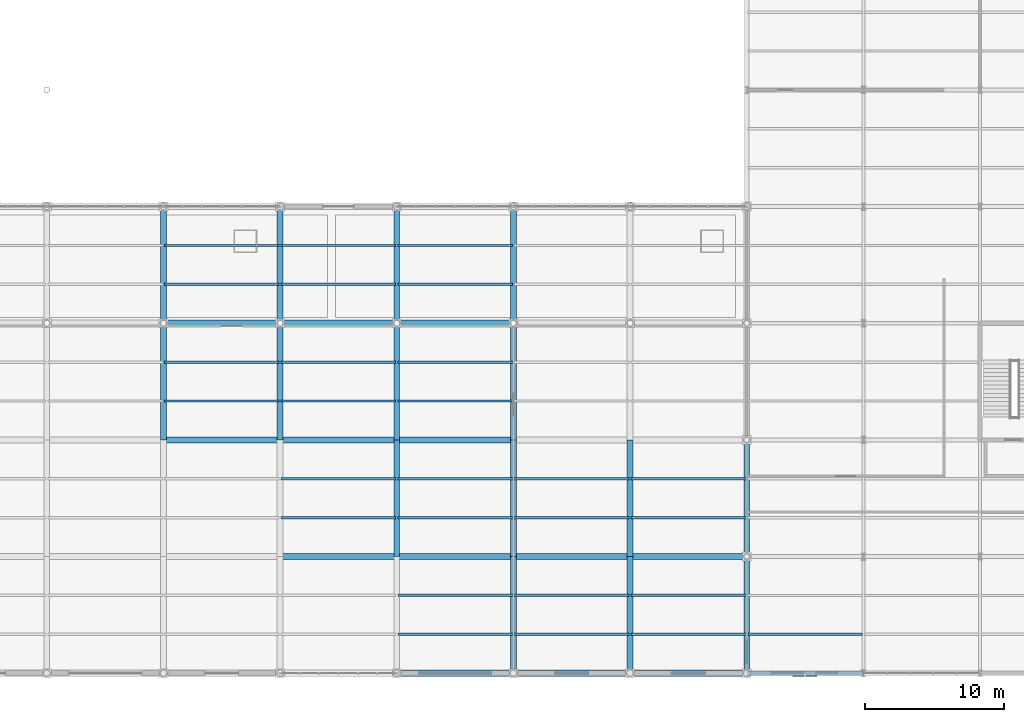
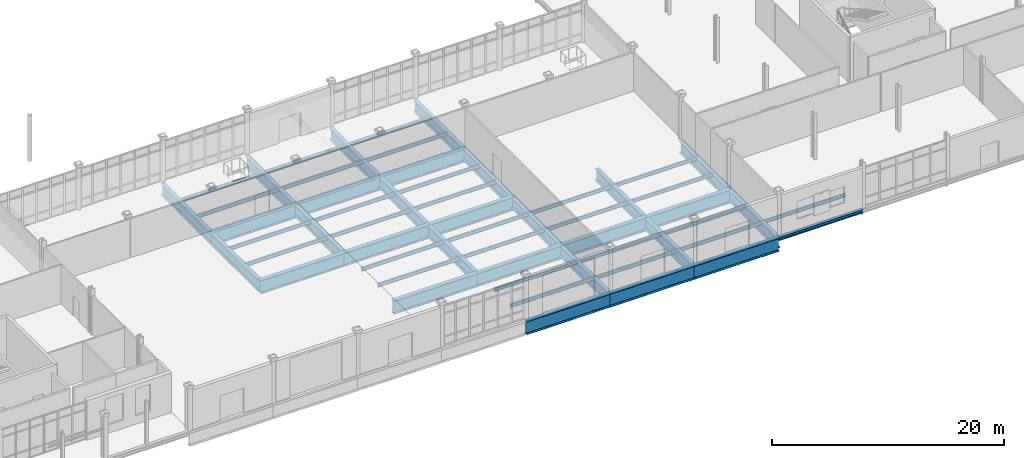
# One storey, part 49 of 145: 56 beams.
"""IFC4 building model written with IfcOpenShell, lengths in metres."""

from ifc_helpers import new_model, si_unit, direction, frame, origin, origin_2d, place, context, subcontext, project, spatial, i_section, extrude, material, material_profile, profile_set, type_object, element, save


model = new_model("IFC4")

# Units and contexts
model_context = context("Model", 3, precision=1e-05, world=origin(), true_north=direction((0.0, 1.0)))
body_context = subcontext(model_context, "Body", "Model", "MODEL_VIEW")
ifc_project = project(units=[si_unit("LENGTHUNIT", "METRE"), si_unit("AREAUNIT", "SQUARE_METRE"), si_unit("VOLUMEUNIT", "CUBIC_METRE"), si_unit("PLANEANGLEUNIT", "RADIAN"), si_unit("MASSUNIT", "GRAM", prefix="KILO")], contexts=[model_context])

# Site, building, storey
site_placement = place(None, origin())
site = spatial("IfcSite", under=ifc_project, at=site_placement, CompositionType="ELEMENT")
building_placement = place(site_placement, origin())
building = spatial("IfcBuilding", under=site, at=building_placement, Name="Qalvenar Corner Mobility Hub", CompositionType="ELEMENT")
storey_placement = place(building_placement, origin())
storey = spatial("IfcBuildingStorey", under=building, at=storey_placement, Name="L00", CompositionType="ELEMENT", Elevation=0.0)

# Beams
ifc_material = material(Name="Steel S355", Category="steel")
ifc_material_profile_1 = material_profile(ifc_material, i_section(OverallWidth=0.169921875, OverallDepth=0.360107421875, WebThickness=0.008056640625, FlangeThickness=0.0126953125, FilletRadius=0.01806640625, at=origin_2d()), Name="IPE360")
ifc_profile_set_1 = profile_set([ifc_material_profile_1], Name="Steel S355")
beam_type_1 = type_object("IfcBeamType", Name="BM-JST360", PredefinedType="JOIST", material=ifc_profile_set_1)
beam_1_placement = place(storey_placement, frame((109.278076171875, 2.800048828125, -0.429931640625), z_axis=(1.0, 0.0, 0.0), x_axis=(0.0, 1.0, 0.0)))
element("IfcBeam", 1, at=beam_1_placement, inside=storey, type_object=beam_type_1, Name="Composite Floor Joist J-0341", PredefinedType="JOIST", context=body_context, shape_type="SweptSolid", body=[
    extrude(i_section(OverallWidth=0.169921875, OverallDepth=0.360107421875, WebThickness=0.008056640625, FlangeThickness=0.0126953125, FilletRadius=0.01806640625, at=origin_2d()), origin(), (0.0, 0.0, 1.0), 8.243896484375),
])
ifc_material_profile_2 = material_profile(ifc_material, i_section(OverallWidth=0.175048828125, OverallDepth=0.3798828125, WebThickness=0.00830078125, FlangeThickness=0.012939453125, FilletRadius=0.01806640625, at=origin_2d()), Name="IPE380-EQ")
ifc_profile_set_2 = profile_set([ifc_material_profile_2], Name="Steel S355")
beam_type_2 = type_object("IfcBeamType", Name="BM-JST380", PredefinedType="JOIST", material=ifc_profile_set_2)
for number, where, z_axis, x_axis, name in (
    (2, (67.278076171875, 19.60009765625, -0.43994140625), (1.0, 0.0, 0.0), (0.0, 1.0, 0.0), "Composite Floor Joist J-0212"),
    (3, (67.278076171875, 22.39990234375, -0.43994140625), (1.0, 0.0, 0.0), (0.0, 1.0, 0.0), "Composite Floor Joist J-0213"),
    (4, (67.278076171875, 28.0, -0.43994140625), (1.0, 0.0, 0.0), (0.0, 1.0, 0.0), "Composite Floor Joist J-0214"),
    (5, (67.278076171875, 30.800048828125, -0.43994140625), (1.0, 0.0, 0.0), (0.0, 1.0, 0.0), "Composite Floor Joist J-0215"),
):
    element("IfcBeam", number, at=place(storey_placement, frame(where, z_axis=z_axis, x_axis=x_axis)), inside=storey, type_object=beam_type_2, Name=name, PredefinedType="JOIST", context=body_context, shape_type="SweptSolid", body=[
        extrude(i_section(OverallWidth=0.175048828125, OverallDepth=0.3798828125, WebThickness=0.00830078125, FlangeThickness=0.012939453125, FilletRadius=0.01806640625, at=origin_2d()), origin(), (0.0, 0.0, 1.0), 8.243896484375),
    ])
for number, where, z_axis, x_axis, name in (
    (6, (75.677978515625, 11.199951171875, -0.43994140625), (1.0, 0.0, 0.0), (0.0, 1.0, 0.0), "Composite Floor Joist J-0218"),
    (7, (75.677978515625, 14.0, -0.43994140625), (1.0, 0.0, 0.0), (0.0, 1.0, 0.0), "Composite Floor Joist J-0219"),
    (8, (75.677978515625, 19.60009765625, -0.43994140625), (1.0, 0.0, 0.0), (0.0, 1.0, 0.0), "Composite Floor Joist J-0220"),
    (9, (75.677978515625, 22.39990234375, -0.43994140625), (1.0, 0.0, 0.0), (0.0, 1.0, 0.0), "Composite Floor Joist J-0221"),
    (10, (75.677978515625, 28.0, -0.43994140625), (1.0, 0.0, 0.0), (0.0, 1.0, 0.0), "Composite Floor Joist J-0222"),
    (11, (75.677978515625, 30.800048828125, -0.43994140625), (1.0, 0.0, 0.0), (0.0, 1.0, 0.0), "Composite Floor Joist J-0223"),
    (12, (84.077880859375, 2.800048828125, -0.43994140625), (1.0, 0.0, 0.0), (0.0, 1.0, 0.0), "Composite Floor Joist J-0224"),
    (13, (84.077880859375, 5.60009765625, -0.43994140625), (1.0, 0.0, 0.0), (0.0, 1.0, 0.0), "Composite Floor Joist J-0225"),
    (14, (84.077880859375, 11.199951171875, -0.43994140625), (1.0, 0.0, 0.0), (0.0, 1.0, 0.0), "Composite Floor Joist J-0226"),
    (15, (84.077880859375, 14.0, -0.43994140625), (1.0, 0.0, 0.0), (0.0, 1.0, 0.0), "Composite Floor Joist J-0227"),
    (16, (84.077880859375, 19.60009765625, -0.43994140625), (1.0, 0.0, 0.0), (0.0, 1.0, 0.0), "Composite Floor Joist J-0228"),
    (17, (84.077880859375, 22.39990234375, -0.43994140625), (1.0, 0.0, 0.0), (0.0, 1.0, 0.0), "Composite Floor Joist J-0229"),
    (18, (84.077880859375, 28.0, -0.43994140625), (1.0, 0.0, 0.0), (0.0, 1.0, 0.0), "Composite Floor Joist J-0230"),
    (19, (84.077880859375, 30.800048828125, -0.43994140625), (1.0, 0.0, 0.0), (0.0, 1.0, 0.0), "Composite Floor Joist J-0231"),
):
    element("IfcBeam", number, at=place(storey_placement, frame(where, z_axis=z_axis, x_axis=x_axis)), inside=storey, type_object=beam_type_2, Name=name, PredefinedType="JOIST", context=body_context, shape_type="SweptSolid", body=[
        extrude(i_section(OverallWidth=0.175048828125, OverallDepth=0.3798828125, WebThickness=0.00830078125, FlangeThickness=0.012939453125, FilletRadius=0.01806640625, at=origin_2d()), origin(), (0.0, 0.0, 1.0), 8.244140625),
    ])
for number, where, z_axis, x_axis, name in (
    (20, (92.47802734375, 2.800048828125, -0.43994140625), (1.0, 0.0, 0.0), (0.0, 1.0, 0.0), "Composite Floor Joist J-0232"),
    (21, (92.47802734375, 5.60009765625, -0.43994140625), (1.0, 0.0, 0.0), (0.0, 1.0, 0.0), "Composite Floor Joist J-0233"),
    (22, (92.47802734375, 11.199951171875, -0.43994140625), (1.0, 0.0, 0.0), (0.0, 1.0, 0.0), "Composite Floor Joist J-0234"),
    (23, (92.47802734375, 14.0, -0.43994140625), (1.0, 0.0, 0.0), (0.0, 1.0, 0.0), "Composite Floor Joist J-0235"),
):
    element("IfcBeam", number, at=place(storey_placement, frame(where, z_axis=z_axis, x_axis=x_axis)), inside=storey, type_object=beam_type_2, Name=name, PredefinedType="JOIST", context=body_context, shape_type="SweptSolid", body=[
        extrude(i_section(OverallWidth=0.175048828125, OverallDepth=0.3798828125, WebThickness=0.00830078125, FlangeThickness=0.012939453125, FilletRadius=0.01806640625, at=origin_2d()), origin(), (0.0, 0.0, 1.0), 8.243896484375),
    ])
for number, where, z_axis, x_axis, name in (
    (24, (100.8779296875, 2.800048828125, -0.43994140625), (1.0, 0.0, 0.0), (0.0, 1.0, 0.0), "Composite Floor Joist J-0240"),
    (25, (100.8779296875, 5.60009765625, -0.43994140625), (1.0, 0.0, 0.0), (0.0, 1.0, 0.0), "Composite Floor Joist J-0241"),
    (26, (100.8779296875, 11.199951171875, -0.43994140625), (1.0, 0.0, 0.0), (0.0, 1.0, 0.0), "Composite Floor Joist J-0242"),
    (27, (100.8779296875, 14.0, -0.43994140625), (1.0, 0.0, 0.0), (0.0, 1.0, 0.0), "Composite Floor Joist J-0243"),
):
    element("IfcBeam", number, at=place(storey_placement, frame(where, z_axis=z_axis, x_axis=x_axis)), inside=storey, type_object=beam_type_2, Name=name, PredefinedType="JOIST", context=body_context, shape_type="SweptSolid", body=[
        extrude(i_section(OverallWidth=0.175048828125, OverallDepth=0.3798828125, WebThickness=0.00830078125, FlangeThickness=0.012939453125, FilletRadius=0.01806640625, at=origin_2d()), origin(), (0.0, 0.0, 1.0), 8.244140625),
    ])
ifc_material_profile_3 = material_profile(ifc_material, i_section(OverallWidth=0.300048828125, OverallDepth=0.35009765625, WebThickness=0.010009765625, FlangeThickness=0.017578125, FilletRadius=0.027099609375, at=origin_2d()), Name="HEA360")
ifc_profile_set_3 = profile_set([ifc_material_profile_3], Name="Steel S355")
beam_type_3 = type_object("IfcBeamType", Name="BM-SPN360", PredefinedType="SPANDREL", material=ifc_profile_set_3)
beam_2_placement = place(storey_placement, frame((109.199951171875, 0.0, -0.425048828125), z_axis=(1.0, 0.0, 0.0), x_axis=(0.0, 1.0, 0.0)))
element("IfcBeam", 28, at=beam_2_placement, inside=storey, type_object=beam_type_3, Name="Primary Steel Girder GX-0248", PredefinedType="SPANDREL", context=body_context, shape_type="SweptSolid", body=[
    extrude(i_section(OverallWidth=0.300048828125, OverallDepth=0.35009765625, WebThickness=0.010009765625, FlangeThickness=0.017578125, FilletRadius=0.027099609375, at=origin_2d()), origin(), (0.0, 0.0, 1.0), 8.400146484375),
])
ifc_material_profile_4 = material_profile(ifc_material, i_section(OverallWidth=0.419921875, OverallDepth=1.199951171875, WebThickness=0.02197265625, FlangeThickness=0.0380859375, FilletRadius=0.02392578125, at=origin_2d()), Name="W1100x390-TG1200")
ifc_profile_set_4 = profile_set([ifc_material_profile_4], Name="Steel S355")
beam_type_4 = type_object("IfcBeamType", Name="BM-TG1200", PredefinedType="T_BEAM", material=ifc_profile_set_4)
beam_3_placement = place(storey_placement, frame((67.199951171875, 16.800048828125, -0.85009765625), z_axis=(0.0, 1.0, 0.0), x_axis=(-1.0, 0.0, 0.0)))
element("IfcBeam", 29, at=beam_3_placement, inside=storey, type_object=beam_type_4, Name="Transfer Girder TG-0170", PredefinedType="T_BEAM", context=body_context, shape_type="SweptSolid", body=[
    extrude(i_section(OverallWidth=0.419921875, OverallDepth=1.199951171875, WebThickness=0.02197265625, FlangeThickness=0.0380859375, FilletRadius=0.02392578125, at=origin_2d()), origin(), (0.0, 0.0, 1.0), 8.39990234375),
])
beam_4_placement = place(storey_placement, frame((67.199951171875, 25.199951171875, -0.85009765625), z_axis=(0.0, 1.0, 0.0), x_axis=(-1.0, 0.0, 0.0)))
element("IfcBeam", 30, at=beam_4_placement, inside=storey, type_object=beam_type_4, Name="Transfer Girder TG-0171", PredefinedType="T_BEAM", context=body_context, shape_type="SweptSolid", body=[
    extrude(i_section(OverallWidth=0.419921875, OverallDepth=1.199951171875, WebThickness=0.02197265625, FlangeThickness=0.0380859375, FilletRadius=0.02392578125, at=origin_2d()), origin(), (0.0, 0.0, 1.0), 8.400146484375),
])
beam_5_placement = place(storey_placement, frame((75.60009765625, 16.800048828125, -0.85009765625), z_axis=(0.0, 1.0, 0.0), x_axis=(-1.0, 0.0, 0.0)))
element("IfcBeam", 31, at=beam_5_placement, inside=storey, type_object=beam_type_4, Name="Transfer Girder TG-0174", PredefinedType="T_BEAM", context=body_context, shape_type="SweptSolid", body=[
    extrude(i_section(OverallWidth=0.419921875, OverallDepth=1.199951171875, WebThickness=0.02197265625, FlangeThickness=0.0380859375, FilletRadius=0.02392578125, at=origin_2d()), origin(), (0.0, 0.0, 1.0), 8.39990234375),
])
for number, where, z_axis, x_axis, name in (
    (32, (75.60009765625, 25.199951171875, -0.85009765625), (0.0, 1.0, 0.0), (-1.0, 0.0, 0.0), "Transfer Girder TG-0175"),
    (33, (84.0, 8.39990234375, -0.85009765625), (0.0, 1.0, 0.0), (-1.0, 0.0, 0.0), "Transfer Girder TG-0177"),
):
    element("IfcBeam", number, at=place(storey_placement, frame(where, z_axis=z_axis, x_axis=x_axis)), inside=storey, type_object=beam_type_4, Name=name, PredefinedType="T_BEAM", context=body_context, shape_type="SweptSolid", body=[
        extrude(i_section(OverallWidth=0.419921875, OverallDepth=1.199951171875, WebThickness=0.02197265625, FlangeThickness=0.0380859375, FilletRadius=0.02392578125, at=origin_2d()), origin(), (0.0, 0.0, 1.0), 8.400146484375),
    ])
beam_6_placement = place(storey_placement, frame((84.0, 16.800048828125, -0.85009765625), z_axis=(0.0, 1.0, 0.0), x_axis=(-1.0, 0.0, 0.0)))
element("IfcBeam", 34, at=beam_6_placement, inside=storey, type_object=beam_type_4, Name="Transfer Girder TG-0178", PredefinedType="T_BEAM", context=body_context, shape_type="SweptSolid", body=[
    extrude(i_section(OverallWidth=0.419921875, OverallDepth=1.199951171875, WebThickness=0.02197265625, FlangeThickness=0.0380859375, FilletRadius=0.02392578125, at=origin_2d()), origin(), (0.0, 0.0, 1.0), 8.39990234375),
])
beam_7_placement = place(storey_placement, frame((84.0, 25.199951171875, -0.85009765625), z_axis=(0.0, 1.0, 0.0), x_axis=(-1.0, 0.0, 0.0)))
element("IfcBeam", 35, at=beam_7_placement, inside=storey, type_object=beam_type_4, Name="Transfer Girder TG-0179", PredefinedType="T_BEAM", context=body_context, shape_type="SweptSolid", body=[
    extrude(i_section(OverallWidth=0.419921875, OverallDepth=1.199951171875, WebThickness=0.02197265625, FlangeThickness=0.0380859375, FilletRadius=0.02392578125, at=origin_2d()), origin(), (0.0, 0.0, 1.0), 8.400146484375),
])
beam_8_placement = place(storey_placement, frame((92.39990234375, 0.0, -0.85009765625), z_axis=(0.0, 1.0, 0.0), x_axis=(-1.0, 0.0, 0.0)))
element("IfcBeam", 36, at=beam_8_placement, inside=storey, type_object=beam_type_4, Name="Transfer Girder TG-0180", PredefinedType="T_BEAM", context=body_context, shape_type="SweptSolid", body=[
    extrude(i_section(OverallWidth=0.419921875, OverallDepth=1.199951171875, WebThickness=0.02197265625, FlangeThickness=0.0380859375, FilletRadius=0.02392578125, at=origin_2d()), origin(), (0.0, 0.0, 1.0), 8.39990234375),
])
beam_9_placement = place(storey_placement, frame((92.39990234375, 8.39990234375, -0.85009765625), z_axis=(0.0, 1.0, 0.0), x_axis=(-1.0, 0.0, 0.0)))
element("IfcBeam", 37, at=beam_9_placement, inside=storey, type_object=beam_type_4, Name="Transfer Girder TG-0181", PredefinedType="T_BEAM", context=body_context, shape_type="SweptSolid", body=[
    extrude(i_section(OverallWidth=0.419921875, OverallDepth=1.199951171875, WebThickness=0.02197265625, FlangeThickness=0.0380859375, FilletRadius=0.02392578125, at=origin_2d()), origin(), (0.0, 0.0, 1.0), 8.400146484375),
])
beam_10_placement = place(storey_placement, frame((92.39990234375, 16.800048828125, -0.85009765625), z_axis=(0.0, 1.0, 0.0), x_axis=(-1.0, 0.0, 0.0)))
element("IfcBeam", 38, at=beam_10_placement, inside=storey, type_object=beam_type_4, Name="Transfer Girder TG-0182", PredefinedType="T_BEAM", context=body_context, shape_type="SweptSolid", body=[
    extrude(i_section(OverallWidth=0.419921875, OverallDepth=1.199951171875, WebThickness=0.02197265625, FlangeThickness=0.0380859375, FilletRadius=0.02392578125, at=origin_2d()), origin(), (0.0, 0.0, 1.0), 8.39990234375),
])
beam_11_placement = place(storey_placement, frame((92.39990234375, 25.199951171875, -0.85009765625), z_axis=(0.0, 1.0, 0.0), x_axis=(-1.0, 0.0, 0.0)))
element("IfcBeam", 39, at=beam_11_placement, inside=storey, type_object=beam_type_4, Name="Transfer Girder TG-0183", PredefinedType="T_BEAM", context=body_context, shape_type="SweptSolid", body=[
    extrude(i_section(OverallWidth=0.419921875, OverallDepth=1.199951171875, WebThickness=0.02197265625, FlangeThickness=0.0380859375, FilletRadius=0.02392578125, at=origin_2d()), origin(), (0.0, 0.0, 1.0), 8.400146484375),
])
beam_12_placement = place(storey_placement, frame((100.800048828125, 0.0, -0.85009765625), z_axis=(0.0, 1.0, 0.0), x_axis=(-1.0, 0.0, 0.0)))
element("IfcBeam", 40, at=beam_12_placement, inside=storey, type_object=beam_type_4, Name="Transfer Girder TG-0184", PredefinedType="T_BEAM", context=body_context, shape_type="SweptSolid", body=[
    extrude(i_section(OverallWidth=0.419921875, OverallDepth=1.199951171875, WebThickness=0.02197265625, FlangeThickness=0.0380859375, FilletRadius=0.02392578125, at=origin_2d()), origin(), (0.0, 0.0, 1.0), 8.39990234375),
])
beam_13_placement = place(storey_placement, frame((100.800048828125, 8.39990234375, -0.85009765625), z_axis=(0.0, 1.0, 0.0), x_axis=(-1.0, 0.0, 0.0)))
element("IfcBeam", 41, at=beam_13_placement, inside=storey, type_object=beam_type_4, Name="Transfer Girder TG-0185", PredefinedType="T_BEAM", context=body_context, shape_type="SweptSolid", body=[
    extrude(i_section(OverallWidth=0.419921875, OverallDepth=1.199951171875, WebThickness=0.02197265625, FlangeThickness=0.0380859375, FilletRadius=0.02392578125, at=origin_2d()), origin(), (0.0, 0.0, 1.0), 8.400146484375),
])
beam_14_placement = place(storey_placement, frame((109.199951171875, 0.0, -0.85009765625), z_axis=(0.0, 1.0, 0.0), x_axis=(-1.0, 0.0, 0.0)))
element("IfcBeam", 42, at=beam_14_placement, inside=storey, type_object=beam_type_4, Name="Transfer Girder TG-0188", PredefinedType="T_BEAM", context=body_context, shape_type="SweptSolid", body=[
    extrude(i_section(OverallWidth=0.419921875, OverallDepth=1.199951171875, WebThickness=0.02197265625, FlangeThickness=0.0380859375, FilletRadius=0.02392578125, at=origin_2d()), origin(), (0.0, 0.0, 1.0), 8.39990234375),
])
beam_15_placement = place(storey_placement, frame((109.199951171875, 8.39990234375, -0.85009765625), z_axis=(0.0, 1.0, 0.0), x_axis=(-1.0, 0.0, 0.0)))
element("IfcBeam", 43, at=beam_15_placement, inside=storey, type_object=beam_type_4, Name="Transfer Girder TG-0189", PredefinedType="T_BEAM", context=body_context, shape_type="SweptSolid", body=[
    extrude(i_section(OverallWidth=0.419921875, OverallDepth=1.199951171875, WebThickness=0.02197265625, FlangeThickness=0.0380859375, FilletRadius=0.02392578125, at=origin_2d()), origin(), (0.0, 0.0, 1.0), 8.400146484375),
])
ifc_material_profile_5 = material_profile(ifc_material, i_section(OverallWidth=0.449951171875, OverallDepth=1.39990234375, WebThickness=0.02587890625, FlangeThickness=0.0439453125, FilletRadius=0.02392578125, at=origin_2d()), Name="W1100x499-TG1400")
ifc_profile_set_5 = profile_set([ifc_material_profile_5], Name="Steel S355")
beam_type_5 = type_object("IfcBeamType", Name="BM-TG1400", PredefinedType="T_BEAM", material=ifc_profile_set_5)
beam_16_placement = place(storey_placement, frame((84.0, 0.0, -0.949951171875), z_axis=(1.0, 0.0, 0.0), x_axis=(0.0, 1.0, 0.0)))
element("IfcBeam", 44, at=beam_16_placement, inside=storey, type_object=beam_type_5, Name="Transfer Girder TG-0133", PredefinedType="T_BEAM", context=body_context, shape_type="SweptSolid", body=[
    extrude(i_section(OverallWidth=0.449951171875, OverallDepth=1.39990234375, WebThickness=0.02587890625, FlangeThickness=0.0439453125, FilletRadius=0.02392578125, at=origin_2d()), origin(), (0.0, 0.0, 1.0), 8.39990234375),
])
beam_17_placement = place(storey_placement, frame((92.39990234375, 0.0, -0.949951171875), z_axis=(1.0, 0.0, 0.0), x_axis=(0.0, 1.0, 0.0)))
element("IfcBeam", 45, at=beam_17_placement, inside=storey, type_object=beam_type_5, Name="Transfer Girder TG-0134", PredefinedType="T_BEAM", context=body_context, shape_type="SweptSolid", body=[
    extrude(i_section(OverallWidth=0.449951171875, OverallDepth=1.39990234375, WebThickness=0.02587890625, FlangeThickness=0.0439453125, FilletRadius=0.02392578125, at=origin_2d()), origin(), (0.0, 0.0, 1.0), 8.400146484375),
])
for number, where, z_axis, x_axis, name in (
    (46, (100.800048828125, 0.0, -0.949951171875), (1.0, 0.0, 0.0), (0.0, 1.0, 0.0), "Transfer Girder TG-0135"),
    (47, (75.60009765625, 8.39990234375, -0.949951171875), (1.0, 0.0, 0.0), (0.0, 1.0, 0.0), "Transfer Girder TG-0139"),
    (48, (84.0, 8.39990234375, -0.949951171875), (1.0, 0.0, 0.0), (0.0, 1.0, 0.0), "Transfer Girder TG-0140"),
):
    element("IfcBeam", number, at=place(storey_placement, frame(where, z_axis=z_axis, x_axis=x_axis)), inside=storey, type_object=beam_type_5, Name=name, PredefinedType="T_BEAM", context=body_context, shape_type="SweptSolid", body=[
        extrude(i_section(OverallWidth=0.449951171875, OverallDepth=1.39990234375, WebThickness=0.02587890625, FlangeThickness=0.0439453125, FilletRadius=0.02392578125, at=origin_2d()), origin(), (0.0, 0.0, 1.0), 8.39990234375),
    ])
beam_18_placement = place(storey_placement, frame((92.39990234375, 8.39990234375, -0.949951171875), z_axis=(1.0, 0.0, 0.0), x_axis=(0.0, 1.0, 0.0)))
element("IfcBeam", 49, at=beam_18_placement, inside=storey, type_object=beam_type_5, Name="Transfer Girder TG-0141", PredefinedType="T_BEAM", context=body_context, shape_type="SweptSolid", body=[
    extrude(i_section(OverallWidth=0.449951171875, OverallDepth=1.39990234375, WebThickness=0.02587890625, FlangeThickness=0.0439453125, FilletRadius=0.02392578125, at=origin_2d()), origin(), (0.0, 0.0, 1.0), 8.400146484375),
])
beam_19_placement = place(storey_placement, frame((100.800048828125, 8.39990234375, -0.949951171875), z_axis=(1.0, 0.0, 0.0), x_axis=(0.0, 1.0, 0.0)))
element("IfcBeam", 50, at=beam_19_placement, inside=storey, type_object=beam_type_5, Name="Transfer Girder TG-0142", PredefinedType="T_BEAM", context=body_context, shape_type="SweptSolid", body=[
    extrude(i_section(OverallWidth=0.449951171875, OverallDepth=1.39990234375, WebThickness=0.02587890625, FlangeThickness=0.0439453125, FilletRadius=0.02392578125, at=origin_2d()), origin(), (0.0, 0.0, 1.0), 8.39990234375),
])
beam_20_placement = place(storey_placement, frame((67.199951171875, 16.800048828125, -0.949951171875), z_axis=(1.0, 0.0, 0.0), x_axis=(0.0, 1.0, 0.0)))
element("IfcBeam", 51, at=beam_20_placement, inside=storey, type_object=beam_type_5, Name="Transfer Girder TG-0145", PredefinedType="T_BEAM", context=body_context, shape_type="SweptSolid", body=[
    extrude(i_section(OverallWidth=0.449951171875, OverallDepth=1.39990234375, WebThickness=0.02587890625, FlangeThickness=0.0439453125, FilletRadius=0.02392578125, at=origin_2d()), origin(), (0.0, 0.0, 1.0), 8.400146484375),
])
for number, where, z_axis, x_axis, name in (
    (52, (75.60009765625, 16.800048828125, -0.949951171875), (1.0, 0.0, 0.0), (0.0, 1.0, 0.0), "Transfer Girder TG-0146"),
    (53, (84.0, 16.800048828125, -0.949951171875), (1.0, 0.0, 0.0), (0.0, 1.0, 0.0), "Transfer Girder TG-0147"),
):
    element("IfcBeam", number, at=place(storey_placement, frame(where, z_axis=z_axis, x_axis=x_axis)), inside=storey, type_object=beam_type_5, Name=name, PredefinedType="T_BEAM", context=body_context, shape_type="SweptSolid", body=[
        extrude(i_section(OverallWidth=0.449951171875, OverallDepth=1.39990234375, WebThickness=0.02587890625, FlangeThickness=0.0439453125, FilletRadius=0.02392578125, at=origin_2d()), origin(), (0.0, 0.0, 1.0), 8.39990234375),
    ])
beam_21_placement = place(storey_placement, frame((67.199951171875, 25.199951171875, -0.949951171875), z_axis=(1.0, 0.0, 0.0), x_axis=(0.0, 1.0, 0.0)))
element("IfcBeam", 54, at=beam_21_placement, inside=storey, type_object=beam_type_5, Name="Transfer Girder TG-0152", PredefinedType="T_BEAM", context=body_context, shape_type="SweptSolid", body=[
    extrude(i_section(OverallWidth=0.449951171875, OverallDepth=1.39990234375, WebThickness=0.02587890625, FlangeThickness=0.0439453125, FilletRadius=0.02392578125, at=origin_2d()), origin(), (0.0, 0.0, 1.0), 8.400146484375),
])
for number, where, z_axis, x_axis, name in (
    (55, (75.60009765625, 25.199951171875, -0.949951171875), (1.0, 0.0, 0.0), (0.0, 1.0, 0.0), "Transfer Girder TG-0153"),
    (56, (84.0, 25.199951171875, -0.949951171875), (1.0, 0.0, 0.0), (0.0, 1.0, 0.0), "Transfer Girder TG-0154"),
):
    element("IfcBeam", number, at=place(storey_placement, frame(where, z_axis=z_axis, x_axis=x_axis)), inside=storey, type_object=beam_type_5, Name=name, PredefinedType="T_BEAM", context=body_context, shape_type="SweptSolid", body=[
        extrude(i_section(OverallWidth=0.449951171875, OverallDepth=1.39990234375, WebThickness=0.02587890625, FlangeThickness=0.0439453125, FilletRadius=0.02392578125, at=origin_2d()), origin(), (0.0, 0.0, 1.0), 8.39990234375),
    ])

save(model, "model.ifc")
